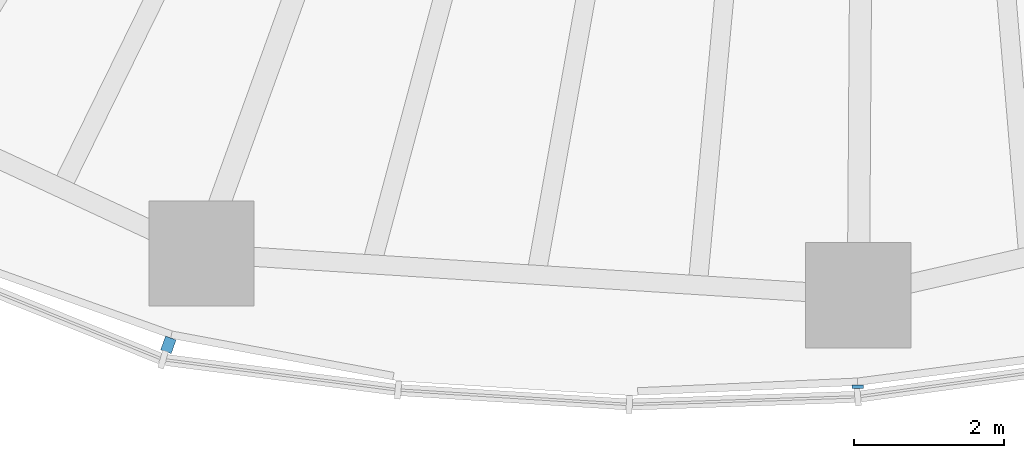
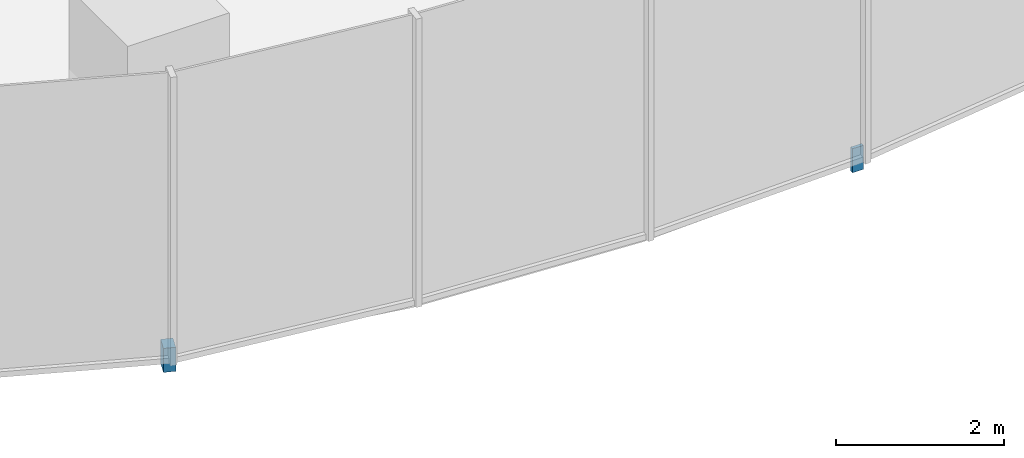
# One storey, part 12 of 18: 2 discrete accessories.
"""IFC4 building model written with IfcOpenShell, lengths in metres."""

from ifc_helpers import new_model, si_unit, direction, frame, origin, origin_2d, place, context, subcontext, project, spatial, rectangle, extrude, material, type_object, element, save


model = new_model("IFC4")

# Units and contexts
model_context = context("Model", 3, precision=1e-05, world=origin(), true_north=direction((0.0, 1.0)))
body_context = subcontext(model_context, "Body", "Model", "MODEL_VIEW")
ifc_project = project(units=[si_unit("LENGTHUNIT", "METRE"), si_unit("AREAUNIT", "SQUARE_METRE"), si_unit("VOLUMEUNIT", "CUBIC_METRE"), si_unit("PLANEANGLEUNIT", "RADIAN"), si_unit("MASSUNIT", "GRAM", prefix="KILO")], contexts=[model_context])

# Site, building, storey
site_placement = place(None, origin())
site = spatial("IfcSite", under=ifc_project, at=site_placement, CompositionType="ELEMENT")
building_placement = place(site_placement, origin())
building = spatial("IfcBuilding", under=site, at=building_placement, Name="Ghaith Harvest Tower", CompositionType="ELEMENT")
storey_placement = place(building_placement, frame((0.0, 0.0, 151.199951171875)))
storey = spatial("IfcBuildingStorey", under=building, at=storey_placement, Name="L32", CompositionType="ELEMENT", Elevation=151.199951171875)

# Discrete accessories
ifc_material_1 = material(Name="Stainless steel grade 1.4401", Category="steel")
discrete_accessory_type_1 = type_object("IfcDiscreteAccessoryType", Name="CURTAIN WALL BRACKET 195", PredefinedType="BRACKET", material=ifc_material_1)
discrete_accessory_1_placement = place(storey_placement, frame((-9.348388671875, -25.883544921875, -0.25), z_axis=(0.0, 0.0, 1.0), x_axis=(-0.33969945263, -0.940534040789, 0.0)))
element("IfcDiscreteAccessory", 1, at=discrete_accessory_1_placement, inside=storey, type_object=discrete_accessory_type_1, Name="CW-L bracket 1 bay 15 L32", PredefinedType="BRACKET", context=body_context, shape_type="SweptSolid", body=[
    extrude(rectangle(XDim=0.195068359375, YDim=0.14990234375, at=origin_2d()), origin(), (0.0, 0.0, 1.0), 0.35009765625),
])
ifc_material_2 = material(Name="Stainless steel grade 1.4401", Category="steel")
discrete_accessory_type_2 = type_object("IfcDiscreteAccessoryType", Name="CURTAIN WALL BRACKET 45", PredefinedType="BRACKET", material=ifc_material_2)
discrete_accessory_2_placement = place(storey_placement, frame((-0.180908203125, -26.441162109375, -0.25), z_axis=(0.0, 0.0, 1.0), x_axis=(-0.006843747957, -0.999976581283, 0.0)))
element("IfcDiscreteAccessory", 2, at=discrete_accessory_2_placement, inside=storey, type_object=discrete_accessory_type_2, Name="CW-L bracket 1 bay 16 L32", PredefinedType="BRACKET", context=body_context, shape_type="SweptSolid", body=[
    extrude(rectangle(XDim=0.044921875, YDim=0.14990234375, at=origin_2d()), origin(), (0.0, 0.0, 1.0), 0.35009765625),
])

save(model, "model.ifc")
